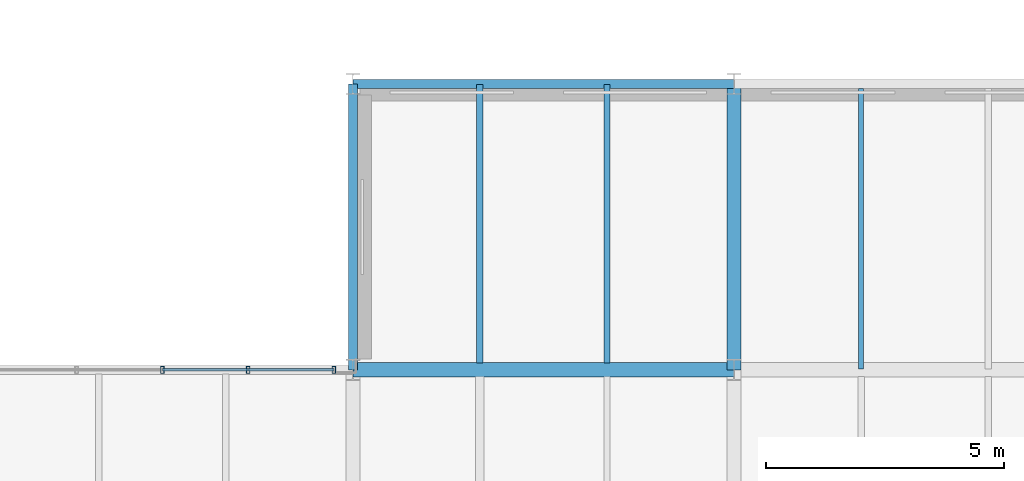
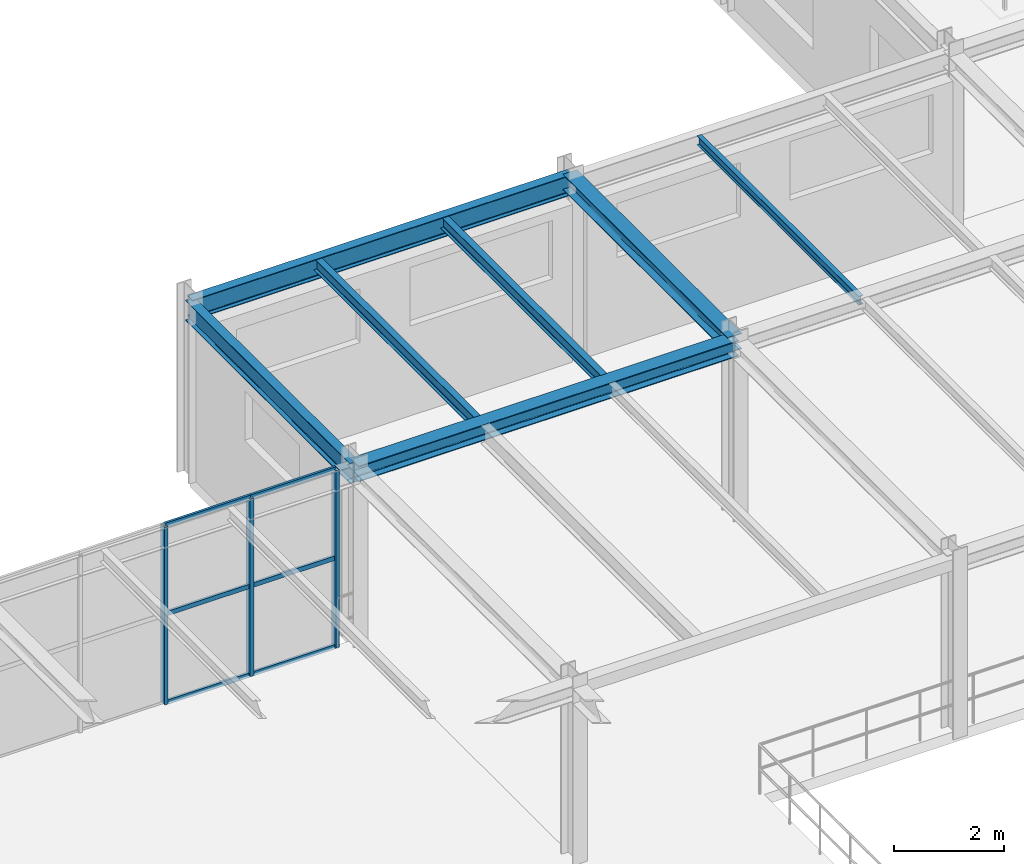
# One storey, part 52 of 124: 9 members, 7 beams, 1 element without a shape of its own.
"""IFC4 building model written with IfcOpenShell, lengths in metres."""

from ifc_helpers import new_model, si_unit, direction, frame, origin, origin_2d, place, context, subcontext, project, spatial, hollow_rectangle, i_section, extrude, material, material_profile, profile_set, type_object, element, aggregate, save


model = new_model("IFC4")

# Units and contexts
model_context = context("Model", 3, precision=1e-05, world=origin(), true_north=direction((0.0, 1.0)))
body_context = subcontext(model_context, "Body", "Model", "MODEL_VIEW")
ifc_project = project(units=[si_unit("LENGTHUNIT", "METRE"), si_unit("AREAUNIT", "SQUARE_METRE"), si_unit("VOLUMEUNIT", "CUBIC_METRE"), si_unit("PLANEANGLEUNIT", "RADIAN"), si_unit("MASSUNIT", "GRAM", prefix="KILO")], contexts=[model_context])

# Site, building, storey
site_placement = place(None, origin())
site = spatial("IfcSite", under=ifc_project, at=site_placement, CompositionType="ELEMENT")
building_placement = place(site_placement, origin())
building = spatial("IfcBuilding", under=site, at=building_placement, Name="Sundkrona Museum", CompositionType="ELEMENT")
storey_placement = place(building_placement, frame((0.0, 0.0, 17.60009765625)))
storey = spatial("IfcBuildingStorey", under=building, at=storey_placement, Name="L03", CompositionType="ELEMENT", Elevation=17.60009765625)

# Beams
ifc_material_1 = material(Name="Steel S355J2", Category="steel")
ifc_material_profile_1 = material_profile(ifc_material_1, i_section(OverallWidth=0.300048828125, OverallDepth=0.35009765625, WebThickness=0.010009765625, FlangeThickness=0.017578125, FilletRadius=0.027099609375, at=origin_2d()), Name="HEA 360")
ifc_profile_set_1 = profile_set([ifc_material_profile_1], Name="Steel S355J2")
beam_type_1 = type_object("IfcBeamType", Name="B-HEA360", PredefinedType="BEAM", material=ifc_profile_set_1)
beam_1_placement = place(storey_placement, frame((120.0, 40.0, 3.764892578125), z_axis=(1.0, 0.0, 0.0), x_axis=(0.0, 1.0, 0.0)))
element("IfcBeam", 1, at=beam_1_placement, inside=storey, type_object=beam_type_1, Name="L03 Girder X-1462", PredefinedType="BEAM", context=body_context, shape_type="SweptSolid", body=[
    extrude(i_section(OverallWidth=0.300048828125, OverallDepth=0.35009765625, WebThickness=0.010009765625, FlangeThickness=0.017578125, FilletRadius=0.027099609375, at=origin_2d()), origin(), (0.0, 0.0, 1.0), 8.0),
])
beam_2_placement = place(storey_placement, frame((128.0, 40.0, 3.784912109375), z_axis=(0.0, 1.0, 0.0), x_axis=(-1.0, 0.0, 0.0)))
element("IfcBeam", 2, at=beam_2_placement, inside=storey, type_object=beam_type_1, Name="L03 Girder Y-1631", PredefinedType="BEAM", context=body_context, shape_type="SweptSolid", body=[
    extrude(i_section(OverallWidth=0.300048828125, OverallDepth=0.35009765625, WebThickness=0.010009765625, FlangeThickness=0.017578125, FilletRadius=0.027099609375, at=origin_2d()), origin(), (0.0, 0.0, 1.0), 6.0),
])
ifc_material_profile_2 = material_profile(ifc_material_1, i_section(OverallWidth=0.10009765625, OverallDepth=0.199951171875, WebThickness=0.005615234375, FlangeThickness=0.008544921875, FilletRadius=0.011962890625, at=origin_2d()), Name="IPE 200")
ifc_profile_set_2 = profile_set([ifc_material_profile_2], Name="Steel S355J2")
beam_type_2 = type_object("IfcBeamType", Name="J-IPE200", PredefinedType="JOIST", material=ifc_profile_set_2)
beam_3_placement = place(storey_placement, frame((130.666748046875, 40.014892578125, 3.7998046875), z_axis=(0.0, 1.0, 0.0), x_axis=(-1.0, 0.0, 0.0)))
element("IfcBeam", 3, at=beam_3_placement, inside=storey, type_object=beam_type_2, Name="L03 Composite Joist 1080", PredefinedType="JOIST", context=body_context, shape_type="SweptSolid", body=[
    extrude(i_section(OverallWidth=0.10009765625, OverallDepth=0.199951171875, WebThickness=0.005615234375, FlangeThickness=0.008544921875, FilletRadius=0.011962890625, at=origin_2d()), origin(), (0.0, 0.0, 1.0), 5.89599609375),
])
ifc_material_profile_3 = material_profile(ifc_material_1, i_section(OverallWidth=0.135009765625, OverallDepth=0.27001953125, WebThickness=0.006591796875, FlangeThickness=0.01025390625, FilletRadius=0.014892578125, at=origin_2d()), Name="IPE 270")
ifc_profile_set_3 = profile_set([ifc_material_profile_3], Name="Steel S355J2")
beam_type_3 = type_object("IfcBeamType", Name="J-IPE270", PredefinedType="JOIST", material=ifc_profile_set_3)
for number, where, z_axis, x_axis, name in (
    (4, (122.666748046875, 40.14404296875, 3.804931640625), (0.0, 1.0, 0.0), (-1.0, 0.0, 0.0), "L03 Composite Joist 1072"),
    (5, (125.333251953125, 40.14404296875, 3.804931640625), (0.0, 1.0, 0.0), (-1.0, 0.0, 0.0), "L03 Composite Joist 1073"),
):
    element("IfcBeam", number, at=place(storey_placement, frame(where, z_axis=z_axis, x_axis=x_axis)), inside=storey, type_object=beam_type_3, Name=name, PredefinedType="JOIST", context=body_context, shape_type="SweptSolid", body=[
        extrude(i_section(OverallWidth=0.135009765625, OverallDepth=0.27001953125, WebThickness=0.006591796875, FlangeThickness=0.01025390625, FilletRadius=0.014892578125, at=origin_2d()), origin(), (0.0, 0.0, 1.0), 5.841064453125),
    ])

# Curtain wall, members
ifc_material_2 = material(Name="Unitised Aluminium-Steel and Ceramic-Clad Curtain Walling", Category="steel")
curtain_wall_type = type_object("IfcCurtainWallType", Name="CW-AT-72x38", PredefinedType="NOTDEFINED", material=ifc_material_2)
curtain_wall_placement = place(storey_placement, origin())
curtain_wall = element("IfcCurtainWall", 6, at=curtain_wall_placement, inside=storey, type_object=curtain_wall_type, Name="L03 Curtain Wall CW-L03-074", PredefinedType="NOTDEFINED")
ifc_material_3 = material(Name="Aluminium EN AW-6060 T66", Category="aluminium")
ifc_material_profile_4 = material_profile(ifc_material_3, hollow_rectangle(XDim=0.074951171875, YDim=0.14990234375, WallThickness=0.00634765625, at=origin_2d()), Name="RHS 150x75x6.3")
ifc_profile_set_4 = profile_set([ifc_material_profile_4], Name="Aluminium EN AW-6060 T66")
member_type_1 = type_object("IfcMemberType", Name="ML-150", PredefinedType="MULLION", material=ifc_profile_set_4)
member_1_placement = place(storey_placement, frame((116.0, 40.0, -0.004150390625), z_axis=(0.0, 0.0, 1.0), x_axis=(1.0, 0.0, 0.0)))
member_1 = element("IfcMember", 7, at=member_1_placement, type_object=member_type_1, Name="CW-L03-074 Mullion 03", PredefinedType="MULLION", context=body_context, shape_type="SweptSolid", body=[
    extrude(hollow_rectangle(XDim=0.074951171875, YDim=0.14990234375, WallThickness=0.00634765625, at=origin_2d()), origin(), (0.0, 0.0, 1.0), 3.947998046875),
])
member_2_placement = place(storey_placement, frame((117.800048828125, 40.0, -0.004150390625), z_axis=(0.0, 0.0, 1.0), x_axis=(1.0, 0.0, 0.0)))
member_2 = element("IfcMember", 8, at=member_2_placement, type_object=member_type_1, Name="CW-L03-074 Mullion 04", PredefinedType="MULLION", context=body_context, shape_type="SweptSolid", body=[
    extrude(hollow_rectangle(XDim=0.074951171875, YDim=0.14990234375, WallThickness=0.00634765625, at=origin_2d()), origin(), (0.0, 0.0, 1.0), 3.947998046875),
])
member_3_placement = place(storey_placement, frame((119.60009765625, 40.0, -0.004150390625), z_axis=(0.0, 0.0, 1.0), x_axis=(1.0, 0.0, 0.0)))
member_3 = element("IfcMember", 9, at=member_3_placement, type_object=member_type_1, Name="CW-L03-074 Mullion 05", PredefinedType="MULLION", context=body_context, shape_type="SweptSolid", body=[
    extrude(hollow_rectangle(XDim=0.074951171875, YDim=0.14990234375, WallThickness=0.00634765625, at=origin_2d()), origin(), (0.0, 0.0, 1.0), 3.947998046875),
])

# Beams
ifc_material_profile_5 = material_profile(ifc_material_1, i_section(OverallWidth=0.18994140625, OverallDepth=0.449951171875, WebThickness=0.009521484375, FlangeThickness=0.0146484375, FilletRadius=0.02099609375, at=origin_2d()), Name="IPE 450")
ifc_profile_set_5 = profile_set([ifc_material_profile_5], Name="Steel S355J2")
beam_type_4 = type_object("IfcBeamType", Name="SP-IPE450", PredefinedType="SPANDREL", material=ifc_profile_set_5)
beam_4_placement = place(storey_placement, frame((120.0, 46.0, 3.73486328125), z_axis=(1.0, 0.0, 0.0), x_axis=(0.0, 1.0, 0.0)))
element("IfcBeam", 10, at=beam_4_placement, inside=storey, type_object=beam_type_4, Name="L03 Girder X-1468", PredefinedType="SPANDREL", context=body_context, shape_type="SweptSolid", body=[
    extrude(i_section(OverallWidth=0.18994140625, OverallDepth=0.449951171875, WebThickness=0.009521484375, FlangeThickness=0.0146484375, FilletRadius=0.02099609375, at=origin_2d()), origin(), (0.0, 0.0, 1.0), 8.0),
])
beam_5_placement = place(storey_placement, frame((120.0, 40.0, 3.71484375), z_axis=(0.0, 1.0, 0.0), x_axis=(-1.0, 0.0, 0.0)))
element("IfcBeam", 11, at=beam_5_placement, inside=storey, type_object=beam_type_4, Name="L03 Girder Y-1627", PredefinedType="SPANDREL", context=body_context, shape_type="SweptSolid", body=[
    extrude(i_section(OverallWidth=0.18994140625, OverallDepth=0.449951171875, WebThickness=0.009521484375, FlangeThickness=0.0146484375, FilletRadius=0.02099609375, at=origin_2d()), origin(), (0.0, 0.0, 1.0), 6.0),
])

# Member
ifc_material_profile_6 = material_profile(ifc_material_3, hollow_rectangle(XDim=0.050048828125, YDim=0.10009765625, WallThickness=0.0048828125, at=origin_2d()), Name="RHS 100x50x5.0")
ifc_profile_set_6 = profile_set([ifc_material_profile_6], Name="Aluminium EN AW-6060 T66")
member_type_2 = type_object("IfcMemberType", Name="TR-100", PredefinedType="USERDEFINED", material=ifc_profile_set_6)
member_4_placement = place(storey_placement, frame((116.0, 40.0, -0.004150390625), z_axis=(1.0, 0.0, 0.0), x_axis=(0.0, 1.0, 0.0)))
member_4 = element("IfcMember", 12, at=member_4_placement, type_object=member_type_2, Name="CW-L03-074 Transom 07", ObjectType="TRANSOM", PredefinedType="USERDEFINED", context=body_context, shape_type="SweptSolid", body=[
    extrude(hollow_rectangle(XDim=0.050048828125, YDim=0.10009765625, WallThickness=0.0048828125, at=origin_2d()), origin(), (0.0, 0.0, 1.0), 1.800048828125),
])

member_5_placement = place(storey_placement, frame((116.0, 40.0, 1.969970703125), z_axis=(1.0, 0.0, 0.0), x_axis=(0.0, 1.0, 0.0)))
member_5 = element("IfcMember", 13, at=member_5_placement, type_object=member_type_2, Name="CW-L03-074 Transom 08", ObjectType="TRANSOM", PredefinedType="USERDEFINED", context=body_context, shape_type="SweptSolid", body=[
    extrude(hollow_rectangle(XDim=0.050048828125, YDim=0.10009765625, WallThickness=0.0048828125, at=origin_2d()), origin(), (0.0, 0.0, 1.0), 1.800048828125),
])

member_6_placement = place(storey_placement, frame((116.0, 40.0, 3.94384765625), z_axis=(1.0, 0.0, 0.0), x_axis=(0.0, 1.0, 0.0)))
member_6 = element("IfcMember", 14, at=member_6_placement, type_object=member_type_2, Name="CW-L03-074 Transom 09", ObjectType="TRANSOM", PredefinedType="USERDEFINED", context=body_context, shape_type="SweptSolid", body=[
    extrude(hollow_rectangle(XDim=0.050048828125, YDim=0.10009765625, WallThickness=0.0048828125, at=origin_2d()), origin(), (0.0, 0.0, 1.0), 1.800048828125),
])

member_7_placement = place(storey_placement, frame((117.800048828125, 40.0, -0.004150390625), z_axis=(1.0, 0.0, 0.0), x_axis=(0.0, 1.0, 0.0)))
member_7 = element("IfcMember", 15, at=member_7_placement, type_object=member_type_2, Name="CW-L03-074 Transom 10", ObjectType="TRANSOM", PredefinedType="USERDEFINED", context=body_context, shape_type="SweptSolid", body=[
    extrude(hollow_rectangle(XDim=0.050048828125, YDim=0.10009765625, WallThickness=0.0048828125, at=origin_2d()), origin(), (0.0, 0.0, 1.0), 1.800048828125),
])

member_8_placement = place(storey_placement, frame((117.800048828125, 40.0, 1.969970703125), z_axis=(1.0, 0.0, 0.0), x_axis=(0.0, 1.0, 0.0)))
member_8 = element("IfcMember", 16, at=member_8_placement, type_object=member_type_2, Name="CW-L03-074 Transom 11", ObjectType="TRANSOM", PredefinedType="USERDEFINED", context=body_context, shape_type="SweptSolid", body=[
    extrude(hollow_rectangle(XDim=0.050048828125, YDim=0.10009765625, WallThickness=0.0048828125, at=origin_2d()), origin(), (0.0, 0.0, 1.0), 1.800048828125),
])

member_9_placement = place(storey_placement, frame((117.800048828125, 40.0, 3.94384765625), z_axis=(1.0, 0.0, 0.0), x_axis=(0.0, 1.0, 0.0)))
member_9 = element("IfcMember", 17, at=member_9_placement, type_object=member_type_2, Name="CW-L03-074 Transom 12", ObjectType="TRANSOM", PredefinedType="USERDEFINED", context=body_context, shape_type="SweptSolid", body=[
    extrude(hollow_rectangle(XDim=0.050048828125, YDim=0.10009765625, WallThickness=0.0048828125, at=origin_2d()), origin(), (0.0, 0.0, 1.0), 1.800048828125),
])

aggregate(curtain_wall, [member_1, member_2, member_3, member_4, member_5, member_6, member_7, member_8, member_9])

save(model, "model.ifc")
